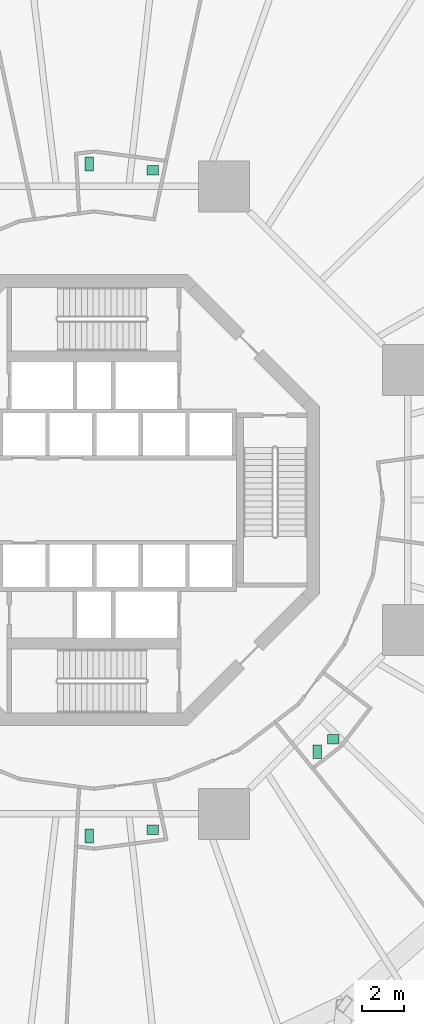
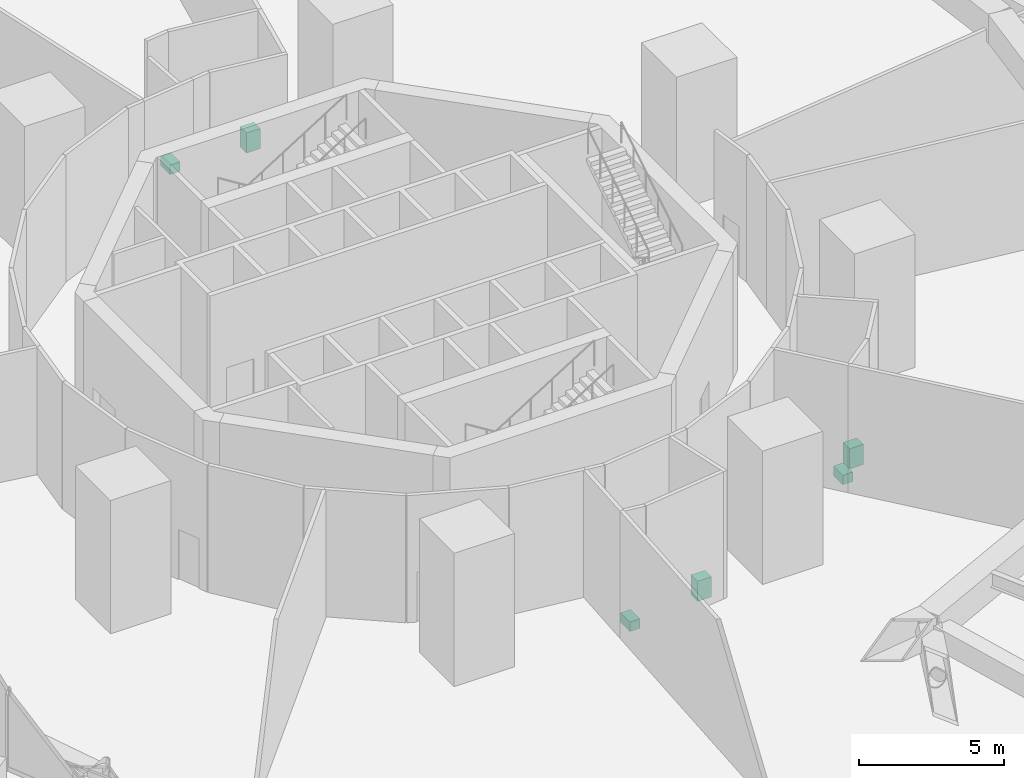
# One storey, part 51 of 51: 6 sanitary terminals.
"""IFC4 building model written with IfcOpenShell, lengths in metres."""

import ifcopenshell
import ifcopenshell.guid

model = None  # the IFC model being written
_history = None  # IfcOwnerHistory: only IFC2X3 demands one
_inside = {}  # id of a spatial element -> (the spatial element, [elements in it])
_under = {}  # id of a project, library or spatial element -> (it, [spatial elements below it])
_declared = {}  # id of a project -> (the project, [libraries it declares])
_typed = {}  # id of a type object -> (the type object, [elements of that type])
_made_of = {}  # id of a material, layer set ... -> (it, [elements and type objects made of it])


def new_model(schema):
    """Start an empty IFC model of exactly this schema.

    Asked for "IFC4X3", IfcOpenShell would pick the latest addendum, in which some entities
    have other attributes; the version numbers below select the first issue.
    IFC2X3 requires an IfcOwnerHistory on every rooted entity: one is made here for all.
    """
    global model, _history
    if schema == "IFC4X3":
        model = ifcopenshell.file(schema_version=(4, 3, 0, 0))
    else:
        model = ifcopenshell.file(schema=schema)
    _inside.clear()
    _under.clear()
    _declared.clear()
    _typed.clear()
    _made_of.clear()
    _history = None
    if model.schema == "IFC2X3":
        org = make("IfcOrganization", Name="unknown")
        user = make(
            "IfcPersonAndOrganization",
            ThePerson=make("IfcPerson", FamilyName="unknown"),
            TheOrganization=org,
        )
        app = make(
            "IfcApplication",
            ApplicationDeveloper=org,
            Version="unknown",
            ApplicationFullName="unknown",
            ApplicationIdentifier="unknown",
        )
        _history = make(
            "IfcOwnerHistory",
            OwningUser=user,
            OwningApplication=app,
            ChangeAction="ADDED",
            CreationDate=0,
        )
    return model


def make(cls, **values):
    """One entity of the class cls with the attributes given. An attribute that is None is left unset."""
    return model.create_entity(
        cls, **{name: value for name, value in values.items() if value is not None}
    )


def rooted(cls, **values):
    """An entity with a GlobalId (a new one), such as an element, a storey or a relation."""
    return make(cls, GlobalId=ifcopenshell.guid.new(), OwnerHistory=_history, **values)


def si_unit(unit_type, name, prefix=None):
    """IfcSIUnit, for example si_unit("LENGTHUNIT", "METRE", prefix="MILLI")."""
    return make("IfcSIUnit", UnitType=unit_type, Prefix=prefix, Name=name)


def assignment(units):
    """IfcUnitAssignment: the units of a project."""
    return None if units is None else make("IfcUnitAssignment", Units=units)


def point(xyz):
    """IfcCartesianPoint."""
    return None if xyz is None else make("IfcCartesianPoint", Coordinates=xyz)


def direction(xyz):
    """IfcDirection."""
    return None if xyz is None else make("IfcDirection", DirectionRatios=xyz)


def frame(location, z_axis=None, x_axis=None):
    """IfcAxis2Placement3D, a coordinate frame: its origin and axes. An axis left out is left unset."""
    return make(
        "IfcAxis2Placement3D",
        Location=point(location),
        Axis=direction(z_axis),
        RefDirection=direction(x_axis),
    )


def frame_2d(location, x_axis=None):
    """IfcAxis2Placement2D, a coordinate frame in the plane: its origin and x axis."""
    return make(
        "IfcAxis2Placement2D", Location=point(location), RefDirection=direction(x_axis)
    )


def origin():
    """The frame at (0, 0, 0) with its axes left unset."""
    return frame((0.0, 0.0, 0.0))


def origin_2d():
    """The frame at (0, 0) in the plane with its x axis left unset."""
    return frame_2d((0.0, 0.0))


def place(relative_to, where):
    """IfcLocalPlacement: puts the frame where relative to a parent placement (None: the world)."""
    return make(
        "IfcLocalPlacement", PlacementRelTo=relative_to, RelativePlacement=where
    )


def context(
    kind, dimensions, precision=None, world=None, true_north=None, identifier=None
):
    """IfcGeometricRepresentationContext, for example the 3D "Model" context."""
    return make(
        "IfcGeometricRepresentationContext",
        ContextIdentifier=identifier,
        ContextType=kind,
        CoordinateSpaceDimension=dimensions,
        Precision=precision,
        WorldCoordinateSystem=world,
        TrueNorth=true_north,
    )


def subcontext(parent, identifier, kind, view, scale=None):
    """IfcGeometricRepresentationSubContext, for example "Body" below "Model"."""
    return make(
        "IfcGeometricRepresentationSubContext",
        ContextIdentifier=identifier,
        ContextType=kind,
        ParentContext=parent,
        TargetScale=scale,
        TargetView=view,
    )


def project(units=None, contexts=None):
    """IfcProject with its units and contexts."""
    return rooted(
        "IfcProject",
        Name="project",
        RepresentationContexts=contexts,
        UnitsInContext=assignment(units),
    )


def spatial(cls, under=None, at=None, **own):
    """A site, building, storey or space (cls), placed at a placement, below another one or the project."""
    s = rooted(cls, ObjectPlacement=at, **own)
    if under is not None:
        _under.setdefault(under.id(), (under, []))[1].append(s)
    return s


def profile(cls, at=None, kind="AREA", **sizes):
    """A parametric profile (cls). Its sizes go by their IFC names, for example OverallWidth=200.0."""
    return make(cls, ProfileType=kind, Position=at, **sizes)


def rectangle(**sizes):
    """IfcRectangleProfileDef."""
    return profile("IfcRectangleProfileDef", **sizes)


def extrude(swept, where, along, depth):
    """IfcExtrudedAreaSolid: the profile swept, set in the frame where, extruded along a direction by depth."""
    return make(
        "IfcExtrudedAreaSolid",
        SweptArea=swept,
        Position=where,
        ExtrudedDirection=direction(along),
        Depth=depth,
    )


def shape(context_of_items, identifier, shape_type, items):
    """IfcShapeRepresentation: the items that make up one representation, for example the "Body"."""
    return make(
        "IfcShapeRepresentation",
        ContextOfItems=context_of_items,
        RepresentationIdentifier=identifier,
        RepresentationType=shape_type,
        Items=items,
    )


def material(Name=None, Category=None):
    """IfcMaterial."""
    return make("IfcMaterial", Name=Name, Category=Category)


def made_of(thing, what):
    """Note that an element or type object is made of a material, layer set ...; save() writes the relation."""
    if what is not None:
        _made_of.setdefault(what.id(), (what, []))[1].append(thing)
    return thing


def type_object(cls, material=None, **own):
    """A type object (cls), such as IfcWallType, which elements share."""
    return made_of(rooted(cls, **own), material)


def element(
    cls,
    number,
    at=None,
    inside=None,
    cuts=None,
    type_object=None,
    material=None,
    context=None,
    identifier="Body",
    shape_type=None,
    held_by="IfcProductDefinitionShape",
    body=None,
    shapes=None,
    **own,
):
    """One element of the class cls, such as IfcWall. Its Tag is "e" and its number.

    at: its placement. inside: the storey or other place that contains it. cuts: it is an
    opening in that element (IfcRelVoidsElement). A single representation is given by context,
    identifier, shape_type and body (its items); several are given by shapes. held_by: the class
    of the entity that holds the representations. save() writes the other relations.
    """
    e = rooted(cls, Tag="e%d" % number, ObjectPlacement=at, **own)
    if body is not None:
        shapes = [shape(context, identifier, shape_type, body)]
    if shapes is not None:
        e.Representation = make(held_by, Representations=shapes)
    if inside is not None:
        _inside.setdefault(inside.id(), (inside, []))[1].append(e)
    if cuts is not None:
        rooted(
            "IfcRelVoidsElement", RelatingBuildingElement=cuts, RelatedOpeningElement=e
        )
    if type_object is not None:
        _typed.setdefault(type_object.id(), (type_object, []))[1].append(e)
    return made_of(e, material)


def aggregate(whole, parts):
    """IfcRelAggregates: a whole, such as a stair, and the parts it consists of."""
    return rooted("IfcRelAggregates", RelatingObject=whole, RelatedObjects=parts)


def save(model, path):
    """Write the relations noted so far, then the file.

    IfcRelAggregates (storeys below a building ...), IfcRelContainedInSpatialStructure (elements
    in a storey), IfcRelDefinesByType, IfcRelAssociatesMaterial and IfcRelDeclares: one each for
    every whole, place, type object, material and project.
    """
    for whole, parts in _under.values():
        aggregate(whole, parts)
    for where, things in _inside.values():
        rooted(
            "IfcRelContainedInSpatialStructure",
            RelatedElements=things,
            RelatingStructure=where,
        )
    for kind, things in _typed.values():
        rooted("IfcRelDefinesByType", RelatedObjects=things, RelatingType=kind)
    for what, things in _made_of.values():
        rooted("IfcRelAssociatesMaterial", RelatedObjects=things, RelatingMaterial=what)
    for by, libraries in _declared.values():
        rooted("IfcRelDeclares", RelatingContext=by, RelatedDefinitions=libraries)
    model.write(path)


model = new_model("IFC4")

# Units and contexts
model_context = context("Model", 3, precision=1e-05, world=origin(), true_north=direction((0.0, 1.0)))
body_context = subcontext(model_context, "Body", "Model", "MODEL_VIEW")
ifc_project = project(units=[si_unit("LENGTHUNIT", "METRE"), si_unit("AREAUNIT", "SQUARE_METRE"), si_unit("VOLUMEUNIT", "CUBIC_METRE"), si_unit("PLANEANGLEUNIT", "RADIAN"), si_unit("MASSUNIT", "GRAM", prefix="KILO")], contexts=[model_context])

# Site, building, storey
site_placement = place(None, origin())
site = spatial("IfcSite", under=ifc_project, at=site_placement, CompositionType="ELEMENT")
building_placement = place(site_placement, origin())
building = spatial("IfcBuilding", under=site, at=building_placement, Name="Nagisa Residences", CompositionType="ELEMENT")
storey_placement = place(building_placement, frame((0.0, 0.0, 67.699951171875)))
storey = spatial("IfcBuildingStorey", under=building, at=storey_placement, Name="L16", CompositionType="ELEMENT", Elevation=67.699951171875)

# Sanitary terminals
ifc_material_1 = material(Name="Vitreous china")
sanitary_terminal_type_1 = type_object("IfcSanitaryTerminalType", Name="WC pan", PredefinedType="WCSEAT", material=ifc_material_1)
for number, where, z_axis, x_axis, name in (
    (1, (-0.23388671875, 15.830078125, 0.0), (0.0, 0.0, 1.0), (1.0, 0.0, 0.0), "fix:L16:r1t3p0:wc"),
    (2, (-0.23388671875, -15.820068359375, 0.0), (0.0, 0.0, 1.0), (1.0, 0.0, 0.0), "fix:L16:r5t11p0:wc"),
    (3, (10.510986328125, -11.85693359375, 0.0), (0.0, 0.0, 1.0), (1.0, 0.0, 0.0), "fix:L16:r6t13p0:wc"),
):
    element("IfcSanitaryTerminal", number, at=place(storey_placement, frame(where, z_axis=z_axis, x_axis=x_axis)), inside=storey, type_object=sanitary_terminal_type_1, Name=name, PredefinedType="WCSEAT", context=body_context, shape_type="SweptSolid", body=[
        extrude(rectangle(XDim=0.39990234375, YDim=0.64990234375, at=origin_2d()), origin(), (0.0, 0.0, 1.0), 0.39990234375),
    ])
ifc_material_2 = material(Name="Vitreous china")
sanitary_terminal_type_2 = type_object("IfcSanitaryTerminalType", Name="Wash basin", PredefinedType="WASHHANDBASIN", material=ifc_material_2)
for number, where, z_axis, x_axis, name in (
    (4, (2.76611328125, 15.530029296875, 0.0), (0.0, 0.0, 1.0), (1.0, 0.0, 0.0), "fix:L16:r1t3p0:basin"),
    (5, (2.76611328125, -15.52001953125, 0.0), (0.0, 0.0, 1.0), (1.0, 0.0, 0.0), "fix:L16:r5t11p0:basin"),
    (6, (11.260986328125, -11.257080078125, 0.0), (0.0, 0.0, 1.0), (1.0, 0.0, 0.0), "fix:L16:r6t13p0:basin"),
):
    element("IfcSanitaryTerminal", number, at=place(storey_placement, frame(where, z_axis=z_axis, x_axis=x_axis)), inside=storey, type_object=sanitary_terminal_type_2, Name=name, PredefinedType="WASHHANDBASIN", context=body_context, shape_type="SweptSolid", body=[
        extrude(rectangle(XDim=0.550048828125, YDim=0.449951171875, at=origin_2d()), origin(), (0.0, 0.0, 1.0), 0.85009765625),
    ])

save(model, "model.ifc")
